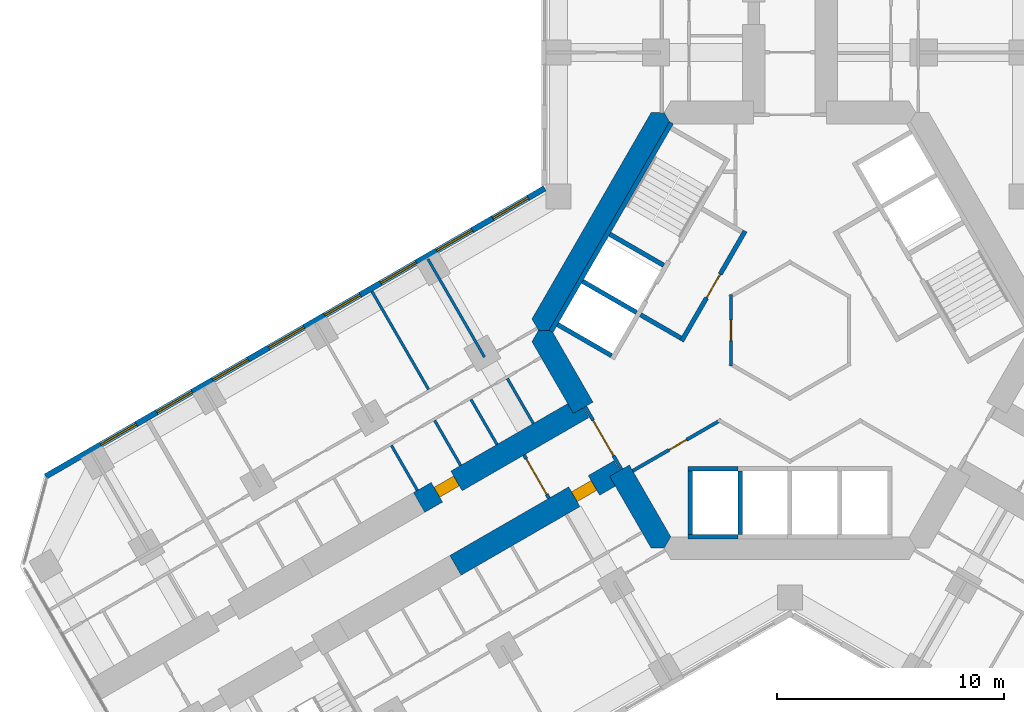
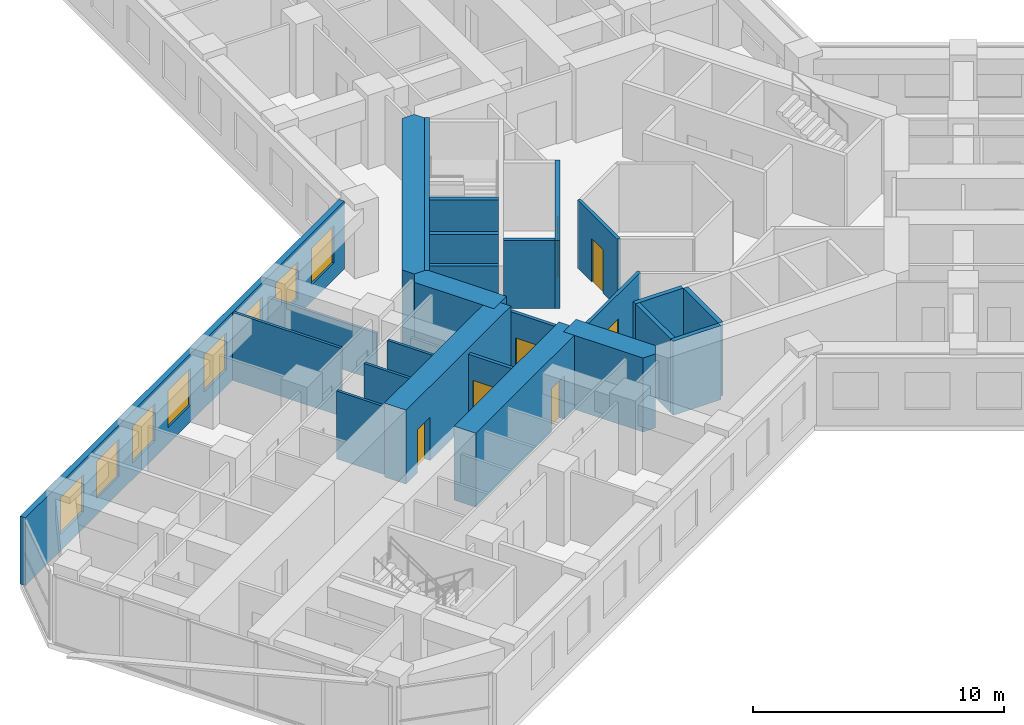
# One storey, part 12 of 21: 26 walls, 8 windows, 7 doors, 15 openings.
"""IFC4 building model written with IfcOpenShell, lengths in metres."""

from ifc_helpers import new_model, si_unit, direction, frame, frame_2d, origin, place, context, subcontext, project, spatial, polyline, rectangle, outline, extrude, material, layer, layer_set, type_object, element, fill, save


model = new_model("IFC4")

# Units and contexts
model_context = context("Model", 3, precision=1e-05, world=origin(), true_north=direction((0.0, 1.0)))
body_context = subcontext(model_context, "Body", "Model", "MODEL_VIEW")
ifc_project = project(units=[si_unit("LENGTHUNIT", "METRE"), si_unit("AREAUNIT", "SQUARE_METRE"), si_unit("VOLUMEUNIT", "CUBIC_METRE"), si_unit("PLANEANGLEUNIT", "RADIAN"), si_unit("MASSUNIT", "GRAM", prefix="KILO")], contexts=[model_context])

# Site, building, storey
site_placement = place(None, origin())
site = spatial("IfcSite", under=ifc_project, at=site_placement, CompositionType="ELEMENT")
building_placement = place(site_placement, origin())
building = spatial("IfcBuilding", under=site, at=building_placement, Name="Kosmar Iwan School Tower", CompositionType="ELEMENT")
storey_placement = place(building_placement, frame((0.0, 0.0, 28.800048828125)))
storey = spatial("IfcBuildingStorey", under=building, at=storey_placement, Name="L06", CompositionType="ELEMENT", Elevation=28.800048828125)

# Wall, opening, door
ifc_material_1 = material(Name="Gypsum board on steel studs, fire-rated", Category="steel")
ifc_layer_1 = layer(ifc_material_1, 0.14990234375)
ifc_layer_set_1 = layer_set([ifc_layer_1], Name="Core room partition 150")
wall_type_1 = type_object("IfcWallType", Name="Core room partition 150", PredefinedType="PARTITIONING", material=ifc_layer_set_1)
wall_1_placement = place(storey_placement, frame((-2.60009765625, -1.576171875, 0.0), z_axis=(0.0, 0.0, 1.0), x_axis=(0.0, 1.0, 0.0)))
wall_1 = element("IfcWall", 1, at=wall_1_placement, inside=storey, type_object=wall_type_1, Name="Core room partition L06-CW6", PredefinedType="PARTITIONING", context=body_context, shape_type="SweptSolid", body=[
    extrude(rectangle(XDim=3.15234375, YDim=0.14990234375, at=frame_2d((1.576171875, 0.0))), origin(), (0.0, 0.0, 1.0), 3.300048828125),
])
opening_1_placement = place(wall_1_placement, frame((1.1259765625, 0.0, 0.0)))
opening_1 = element("IfcOpeningElement", 2, at=opening_1_placement, cuts=wall_1, Name="Opening D14", PredefinedType="OPENING", context=body_context, shape_type="SweptSolid", body=[
    extrude(rectangle(XDim=0.89990234375, YDim=2.10009765625, at=frame_2d((0.449951171875, 1.050048828125))), frame((0.0, 0.0869140625, 0.0), z_axis=(0.0, -1.0, 0.0), x_axis=(1.0, 0.0, 0.0)), (0.0, 0.0, 1.0), 0.173828125),
])
ifc_material_2 = material(Name="Timber fire door in steel frame", Category="steel")
door_type_1 = type_object("IfcDoorType", Name="Core room door 900x2100", OperationType="SINGLE_SWING_LEFT", PredefinedType="DOOR", material=ifc_material_2)
door_1_placement = place(opening_1_placement, origin())
door_1 = element("IfcDoor", 3, at=door_1_placement, inside=storey, type_object=door_type_1, Name="Residents' laundry room door L06 3", OperationType="SINGLE_SWING_LEFT", OverallHeight=2.10009765625, OverallWidth=0.89990234375, PredefinedType="DOOR", context=body_context, shape_type="SweptSolid", body=[
    extrude(rectangle(XDim=0.89990234375, YDim=2.10009765625, at=frame_2d((0.449951171875, 1.050048828125))), frame((0.0, 0.02490234375, 0.0), z_axis=(0.0, -1.0, 0.0), x_axis=(1.0, 0.0, 0.0)), (0.0, 0.0, 1.0), 0.050048828125),
])
fill(opening_1, door_1)

wall_2_placement = place(storey_placement, frame((-6.930908203125, -6.195556640625, 0.0), z_axis=(0.0, 0.0, 1.0), x_axis=(0.866020192391, 0.500009026289, 0.0)))
wall_2 = element("IfcWall", 4, at=wall_2_placement, inside=storey, type_object=wall_type_1, Name="Core room partition L06-CW10", PredefinedType="PARTITIONING", context=body_context, shape_type="SweptSolid", body=[
    extrude(rectangle(XDim=4.49853515625, YDim=0.14990234375, at=frame_2d((2.249267578125, 0.0))), origin(), (0.0, 0.0, 1.0), 3.300048828125),
])
opening_2_placement = place(wall_2_placement, frame((1.842041015625, 0.0, 0.0)))
opening_2 = element("IfcOpeningElement", 5, at=opening_2_placement, cuts=wall_2, Name="Opening D14", PredefinedType="OPENING", context=body_context, shape_type="SweptSolid", body=[
    extrude(rectangle(XDim=0.89990234375, YDim=2.10009765625, at=frame_2d((0.449951171875, 1.050048828125))), frame((0.0, 0.0869140625, 0.0), z_axis=(0.0, -1.0, 0.0), x_axis=(1.0, 0.0, 0.0)), (0.0, 0.0, 1.0), 0.173828125),
])
door_2_placement = place(opening_2_placement, origin())
door_2 = element("IfcDoor", 6, at=door_2_placement, inside=storey, type_object=door_type_1, Name="Housekeeping store door L06 4", OperationType="SINGLE_SWING_RIGHT", OverallHeight=2.10009765625, OverallWidth=0.89990234375, PredefinedType="DOOR", context=body_context, shape_type="SweptSolid", body=[
    extrude(rectangle(XDim=0.89990234375, YDim=2.10009765625, at=frame_2d((0.449951171875, 1.050048828125))), frame((0.0, 0.02490234375, 0.0), z_axis=(0.0, -1.0, 0.0), x_axis=(1.0, 0.0, 0.0)), (0.0, 0.0, 1.0), 0.050048828125),
])
fill(opening_2, door_2)

# Walls
ifc_material_3 = material(Name="Concrete C50/60", Category="concrete")
ifc_layer_2 = layer(ifc_material_3, 1.0)
ifc_layer_set_2 = layer_set([ifc_layer_2], Name="Core wall 1000")
wall_type_2 = type_object("IfcWallType", Name="Core wall 1000", PredefinedType="SHEAR", material=ifc_layer_set_2)
wall_3_placement = place(storey_placement, origin())
element("IfcWall", 7, at=wall_3_placement, inside=storey, type_object=wall_type_2, Name="Core wall F150", PredefinedType="SHEAR", context=body_context, shape_type="SweptSolid", body=[
    extrude(outline(polyline([(-11.085205078125, 0.0), (-10.5078125, 0.0), (-5.25390625, 9.10009765625), (-5.54248046875, 9.60009765625), (-6.119873046875, 9.60009765625), (-11.373779296875, 0.5), (-11.085205078125, 0.0)])), origin(), (0.0, 0.0, 1.0), 3.599853515625),
])
wall_4_placement = place(storey_placement, origin())
element("IfcWall", 8, at=wall_4_placement, inside=storey, type_object=wall_type_2, Name="Core wall F210a", PredefinedType="SHEAR", context=body_context, shape_type="SweptSolid", body=[
    extrude(outline(polyline([(-9.546875, -3.664306640625), (-8.680908203125, -3.164306640625), (-10.5078125, 0.0), (-11.085205078125, 0.0), (-11.373779296875, -0.5), (-9.546875, -3.664306640625)])), origin(), (0.0, 0.0, 1.0), 3.599853515625),
])
wall_5_placement = place(storey_placement, origin())
element("IfcWall", 9, at=wall_5_placement, inside=storey, type_object=wall_type_2, Name="Core wall F210b", PredefinedType="SHEAR", context=body_context, shape_type="SweptSolid", body=[
    extrude(outline(polyline([(-6.119873046875, -9.60009765625), (-5.54248046875, -9.60009765625), (-5.25390625, -9.10009765625), (-7.080810546875, -5.935546875), (-7.94677734375, -6.435546875), (-6.119873046875, -9.60009765625)])), origin(), (0.0, 0.0, 1.0), 3.599853515625),
])

# Wall, opening, door
ifc_material_4 = material(Name="Concrete C50/60", Category="concrete")
ifc_layer_3 = layer(ifc_material_4, 1.0)
ifc_layer_set_3 = layer_set([ifc_layer_3], Name="Corridor buttress wall 1000")
wall_type_3 = type_object("IfcWallType", Name="Corridor buttress wall 1000", PredefinedType="SHEAR", material=ifc_layer_set_3)
wall_6_placement = place(storey_placement, frame((-7.513916015625, -6.185546875, 0.0), z_axis=(0.0, 0.0, 1.0), x_axis=(-0.866019549707, -0.500010139422, 0.0)))
wall_6 = element("IfcWall", 10, at=wall_6_placement, inside=storey, type_object=wall_type_3, Name="Corridor wall BL", PredefinedType="SHEAR", context=body_context, shape_type="SweptSolid", body=[
    extrude(rectangle(XDim=8.349853515625, YDim=1.0, at=frame_2d((4.1748046875, 0.0))), origin(), (0.0, 0.0, 1.0), 3.599853515625),
])
opening_3_placement = place(wall_6_placement, frame((1.300048828125, 0.0, 0.0)))
opening_3 = element("IfcOpeningElement", 11, at=opening_3_placement, cuts=wall_6, Name="Opening D1", PredefinedType="OPENING", context=body_context, shape_type="SweptSolid", body=[
    extrude(rectangle(XDim=1.0, YDim=2.10009765625, at=frame_2d((0.5, 1.050048828125))), frame((0.0, 0.511962890625, 0.0), z_axis=(0.0, -1.0, 0.0), x_axis=(1.0, 0.0, 0.0)), (0.0, 0.0, 1.0), 1.02392578125),
])
ifc_material_5 = material(Name="Timber fire door in steel frame", Category="steel")
door_type_2 = type_object("IfcDoorType", Name="Flat entrance door 1000x2100", OperationType="SINGLE_SWING_LEFT", PredefinedType="DOOR", material=ifc_material_5)
door_3_placement = place(opening_3_placement, origin())
door_3 = element("IfcDoor", 12, at=door_3_placement, inside=storey, type_object=door_type_2, Name="Flat L06-BL1 entrance door", OperationType="SINGLE_SWING_RIGHT", OverallHeight=2.10009765625, OverallWidth=1.0, PredefinedType="DOOR", context=body_context, shape_type="SweptSolid", body=[
    extrude(rectangle(XDim=1.0, YDim=2.10009765625, at=frame_2d((0.5, 1.050048828125))), frame((0.0, 0.25, 0.0), z_axis=(0.0, -1.0, 0.0), x_axis=(1.0, 0.0, 0.0)), (0.0, 0.0, 1.0), 0.5),
])
fill(opening_3, door_3)

wall_7_placement = place(storey_placement, frame((-9.11376953125, -3.414306640625, 0.0), z_axis=(0.0, 0.0, 1.0), x_axis=(-0.866026859388, -0.499997478812, 0.0)))
wall_7 = element("IfcWall", 13, at=wall_7_placement, inside=storey, type_object=wall_type_3, Name="Corridor wall BR", PredefinedType="SHEAR", context=body_context, shape_type="SweptSolid", body=[
    extrude(rectangle(XDim=8.35009765625, YDim=1.0, at=frame_2d((4.175048828125, 0.0))), origin(), (0.0, 0.0, 1.0), 3.599853515625),
])
opening_4_placement = place(wall_7_placement, frame((6.449951171875, 0.0, 0.0)))
opening_4 = element("IfcOpeningElement", 14, at=opening_4_placement, cuts=wall_7, Name="Opening D1", PredefinedType="OPENING", context=body_context, shape_type="SweptSolid", body=[
    extrude(rectangle(XDim=1.0, YDim=2.10009765625, at=frame_2d((0.5, 1.050048828125))), frame((0.0, 0.511962890625, 0.0), z_axis=(0.0, -1.0, 0.0), x_axis=(1.0, 0.0, 0.0)), (0.0, 0.0, 1.0), 1.02392578125),
])
door_4_placement = place(opening_4_placement, origin())
door_4 = element("IfcDoor", 15, at=door_4_placement, inside=storey, type_object=door_type_2, Name="Flat L06-BR1 entrance door", OperationType="SINGLE_SWING_RIGHT", OverallHeight=2.10009765625, OverallWidth=1.0, PredefinedType="DOOR", context=body_context, shape_type="SweptSolid", body=[
    extrude(rectangle(XDim=1.0, YDim=2.10009765625, at=frame_2d((0.5, 1.050048828125))), frame((0.0, 0.25, 0.0), z_axis=(0.0, -1.0, 0.0), x_axis=(1.0, 0.0, 0.0)), (0.0, 0.0, 1.0), 0.5),
])
fill(opening_4, door_4)

ifc_material_6 = material(Name="Gypsum board on steel studs, fire-rated", Category="steel")
ifc_layer_4 = layer(ifc_material_6, 0.14990234375)
ifc_layer_set_4 = layer_set([ifc_layer_4], Name="Corridor end wall 150")
wall_type_4 = type_object("IfcWallType", Name="Corridor end wall 150", PredefinedType="PARTITIONING", material=ifc_layer_set_4)
wall_8_placement = place(storey_placement, frame((-11.7216796875, -5.497314453125, 0.0), z_axis=(0.0, 0.0, 1.0), x_axis=(0.499946605688, -0.86605622881, 0.0)))
wall_8 = element("IfcWall", 16, at=wall_8_placement, inside=storey, type_object=wall_type_4, Name="Partition L06-B-HW", PredefinedType="PARTITIONING", context=body_context, shape_type="SweptSolid", body=[
    extrude(rectangle(XDim=2.199951171875, YDim=0.14990234375, at=frame_2d((1.10009765625, 0.0))), origin(), (0.0, 0.0, 1.0), 3.300048828125),
])
opening_5_placement = place(wall_8_placement, frame((0.199951171875, 0.0, 0.0)))
opening_5 = element("IfcOpeningElement", 17, at=opening_5_placement, cuts=wall_8, Name="Opening D9", PredefinedType="OPENING", context=body_context, shape_type="SweptSolid", body=[
    extrude(rectangle(XDim=1.800048828125, YDim=2.10009765625, at=frame_2d((0.89990234375, 1.050048828125))), frame((0.0, 0.0869140625, 0.0), z_axis=(0.0, -1.0, 0.0), x_axis=(1.0, 0.0, 0.0)), (0.0, 0.0, 1.0), 0.173828125),
])
ifc_material_7 = material(Name="Steel framed glazed smoke door", Category="steel")
door_type_3 = type_object("IfcDoorType", Name="Corridor smoke door pair 1800x2100", OperationType="DOUBLE_DOOR_DOUBLE_SWING", PredefinedType="DOOR", material=ifc_material_7)
door_5_placement = place(opening_5_placement, origin())
door_5 = element("IfcDoor", 18, at=door_5_placement, inside=storey, type_object=door_type_3, Name="Entrance vestibule smoke doors L06-B", OperationType="DOUBLE_DOOR_DOUBLE_SWING", OverallHeight=2.10009765625, OverallWidth=1.800048828125, PredefinedType="DOOR", context=body_context, shape_type="SweptSolid", body=[
    extrude(rectangle(XDim=1.800048828125, YDim=2.10009765625, at=frame_2d((0.89990234375, 1.050048828125))), frame((0.0, 0.02490234375, 0.0), z_axis=(0.0, -1.0, 0.0), x_axis=(1.0, 0.0, 0.0)), (0.0, 0.0, 1.0), 0.050048828125),
])
fill(opening_5, door_5)

ifc_material_8 = material(Name="Steel framed glazed screen", Category="steel")
ifc_layer_5 = layer(ifc_material_8, 0.14990234375)
ifc_layer_set_5 = layer_set([ifc_layer_5], Name="Corridor screen wall 150")
wall_type_5 = type_object("IfcWallType", Name="Corridor screen wall 150", PredefinedType="PARTITIONING", material=ifc_layer_set_5)
wall_9_placement = place(storey_placement, frame((-9.02734375, -3.3642578125, 0.0), z_axis=(0.0, 0.0, 1.0), x_axis=(0.499995408039, -0.866028054938, 0.0)))
wall_9 = element("IfcWall", 19, at=wall_9_placement, inside=storey, type_object=wall_type_5, Name="Corridor screen B L06", PredefinedType="PARTITIONING", context=body_context, shape_type="SweptSolid", body=[
    extrude(rectangle(XDim=3.2001953125, YDim=0.14990234375, at=frame_2d((1.60009765625, 0.0))), origin(), (0.0, 0.0, 1.0), 3.300048828125),
])
opening_6_placement = place(wall_9_placement, frame((0.699951171875, 0.0, 0.0)))
opening_6 = element("IfcOpeningElement", 20, at=opening_6_placement, cuts=wall_9, Name="Opening D9", PredefinedType="OPENING", context=body_context, shape_type="SweptSolid", body=[
    extrude(rectangle(XDim=1.800048828125, YDim=2.10009765625, at=frame_2d((0.89990234375, 1.050048828125))), frame((0.0, 0.0869140625, 0.0), z_axis=(0.0, -1.0, 0.0), x_axis=(1.0, 0.0, 0.0)), (0.0, 0.0, 1.0), 0.173828125),
])
door_6_placement = place(opening_6_placement, origin())
door_6 = element("IfcDoor", 21, at=door_6_placement, inside=storey, type_object=door_type_3, Name="Corridor doors B L06", OperationType="DOUBLE_DOOR_DOUBLE_SWING", OverallHeight=2.10009765625, OverallWidth=1.800048828125, PredefinedType="DOOR", context=body_context, shape_type="SweptSolid", body=[
    extrude(rectangle(XDim=1.800048828125, YDim=2.10009765625, at=frame_2d((0.89990234375, 1.050048828125))), frame((0.0, 0.02490234375, 0.0), z_axis=(0.0, -1.0, 0.0), x_axis=(1.0, 0.0, 0.0)), (0.0, 0.0, 1.0), 0.050048828125),
])
fill(opening_6, door_6)

# Walls
ifc_material_9 = material(Name="Gypsum board on steel studs", Category="steel")
ifc_layer_6 = layer(ifc_material_9, 0.1201171875)
ifc_layer_set_6 = layer_set([ifc_layer_6], Name="Dwelling partition 120")
wall_type_6 = type_object("IfcWallType", Name="Dwelling partition 120", PredefinedType="PARTITIONING", material=ifc_layer_set_6)
wall_10_placement = place(storey_placement, frame((-13.4638671875, -1.179931640625, 0.0), z_axis=(0.0, 0.0, 1.0), x_axis=(-0.499996339024, 0.86602751744, 0.0)))
element("IfcWall", 22, at=wall_10_placement, inside=storey, type_object=wall_type_6, Name="Partition L06-BR1-X1", PredefinedType="PARTITIONING", context=body_context, shape_type="SweptSolid", body=[
    extrude(rectangle(XDim=4.98974609375, YDim=0.1201171875, at=frame_2d((2.494873046875, 0.0))), origin(), (0.0, 0.0, 1.0), 2.300048828125),
])
wall_11_placement = place(storey_placement, frame((-15.931884765625, -2.60498046875, 0.0), z_axis=(0.0, 0.0, 1.0), x_axis=(-0.500011847778, 0.866018563358, 0.0)))
element("IfcWall", 23, at=wall_11_placement, inside=storey, type_object=wall_type_6, Name="Partition L06-BR1-X2", PredefinedType="PARTITIONING", context=body_context, shape_type="SweptSolid", body=[
    extrude(rectangle(XDim=4.990234375, YDim=0.1201171875, at=frame_2d((2.4951171875, 0.0))), origin(), (0.0, 0.0, 1.0), 3.300048828125),
])
wall_12_placement = place(storey_placement, frame((-11.3125, -4.1064453125, 0.0), z_axis=(0.0, 0.0, 1.0), x_axis=(-0.499968531483, 0.866043571379, 0.0)))
element("IfcWall", 24, at=wall_12_placement, inside=storey, type_object=wall_type_6, Name="Partition L06-BR1-Y1", PredefinedType="PARTITIONING", context=body_context, shape_type="SweptSolid", body=[
    extrude(rectangle(XDim=2.290283203125, YDim=0.1201171875, at=frame_2d((1.14501953125, 0.0))), origin(), (0.0, 0.0, 1.0), 2.300048828125),
])
for number, where, z_axis, x_axis, name in (
    (25, (-12.91455078125, -5.03125, 0.0), (0.0, 0.0, 1.0), (-0.500014693593, 0.866016920268, 0.0), "Partition L06-BR1-Y2"),
    (26, (-14.5166015625, -5.956298828125, 0.0), (0.0, 0.0, 1.0), (-0.500014693593, 0.866016920268, 0.0), "Partition L06-BR1-Y3"),
    (27, (-16.421875, -7.056396484375, 0.0), (0.0, 0.0, 1.0), (-0.500014693593, 0.866016920268, 0.0), "Partition L06-BR1-Y4"),
):
    element("IfcWall", number, at=place(storey_placement, frame(where, z_axis=z_axis, x_axis=x_axis)), inside=storey, type_object=wall_type_6, Name=name, PredefinedType="PARTITIONING", context=body_context, shape_type="SweptSolid", body=[
        extrude(rectangle(XDim=2.2900390625, YDim=0.1201171875, at=frame_2d((1.14501953125, 0.0))), origin(), (0.0, 0.0, 1.0), 3.300048828125),
    ])

# Wall, openings, windows
ifc_material_10 = material(Name="Black aluminium rainscreen on insulated framing", Category="aluminium")
ifc_layer_7 = layer(ifc_material_10, 0.25)
ifc_layer_set_7 = layer_set([ifc_layer_7], Name="External wall rainscreen 250")
wall_type_7 = type_object("IfcWallType", Name="External wall rainscreen 250", PredefinedType="SOLIDWALL", material=ifc_layer_set_7)
wall_13_placement = place(storey_placement, frame((-10.8125, 6.257080078125, 0.0), z_axis=(0.0, 0.0, 1.0), x_axis=(-0.86602648281, -0.499998131069, 0.0)))
wall_13 = element("IfcWall", 28, at=wall_13_placement, inside=storey, type_object=wall_type_7, Name="External wall BR L06", PredefinedType="SOLIDWALL", context=body_context, shape_type="SweptSolid", body=[
    extrude(rectangle(XDim=25.39990234375, YDim=0.25, at=frame_2d((12.699951171875, 0.0))), origin(), (0.0, 0.0, 1.0), 3.300048828125),
])
opening_7_placement = place(wall_13_placement, frame((0.839599609375, 0.0, 0.800048828125)))
opening_7 = element("IfcOpeningElement", 29, at=opening_7_placement, cuts=wall_13, Name="Opening W1", PredefinedType="OPENING", context=body_context, shape_type="SweptSolid", body=[
    extrude(rectangle(XDim=1.800048828125, YDim=1.800048828125, at=frame_2d((0.89990234375, 0.89990234375))), frame((0.0, 0.136962890625, 0.0), z_axis=(0.0, -1.0, 0.0), x_axis=(1.0, 0.0, 0.0)), (0.0, 0.0, 1.0), 0.27392578125),
])
opening_8_placement = place(wall_13_placement, frame((3.689697265625, 0.0, 0.800048828125)))
opening_8 = element("IfcOpeningElement", 30, at=opening_8_placement, cuts=wall_13, Name="Opening W1", PredefinedType="OPENING", context=body_context, shape_type="SweptSolid", body=[
    extrude(rectangle(XDim=1.800048828125, YDim=1.800048828125, at=frame_2d((0.89990234375, 0.89990234375))), frame((0.0, 0.136962890625, 0.0), z_axis=(0.0, -1.0, 0.0), x_axis=(1.0, 0.0, 0.0)), (0.0, 0.0, 1.0), 0.27392578125),
])
opening_9_placement = place(wall_13_placement, frame((6.53955078125, 0.0, 0.800048828125)))
opening_9 = element("IfcOpeningElement", 31, at=opening_9_placement, cuts=wall_13, Name="Opening W1", PredefinedType="OPENING", context=body_context, shape_type="SweptSolid", body=[
    extrude(rectangle(XDim=1.800048828125, YDim=1.800048828125, at=frame_2d((0.89990234375, 0.89990234375))), frame((0.0, 0.136962890625, 0.0), z_axis=(0.0, -1.0, 0.0), x_axis=(1.0, 0.0, 0.0)), (0.0, 0.0, 1.0), 0.27392578125),
])
opening_10_placement = place(wall_13_placement, frame((9.3896484375, 0.0, 0.800048828125)))
opening_10 = element("IfcOpeningElement", 32, at=opening_10_placement, cuts=wall_13, Name="Opening W1", PredefinedType="OPENING", context=body_context, shape_type="SweptSolid", body=[
    extrude(rectangle(XDim=1.800048828125, YDim=1.800048828125, at=frame_2d((0.89990234375, 0.89990234375))), frame((0.0, 0.136962890625, 0.0), z_axis=(0.0, -1.0, 0.0), x_axis=(1.0, 0.0, 0.0)), (0.0, 0.0, 1.0), 0.27392578125),
])
opening_11_placement = place(wall_13_placement, frame((12.23974609375, 0.0, 0.800048828125)))
opening_11 = element("IfcOpeningElement", 33, at=opening_11_placement, cuts=wall_13, Name="Opening W1", PredefinedType="OPENING", context=body_context, shape_type="SweptSolid", body=[
    extrude(rectangle(XDim=1.800048828125, YDim=1.800048828125, at=frame_2d((0.89990234375, 0.89990234375))), frame((0.0, 0.136962890625, 0.0), z_axis=(0.0, -1.0, 0.0), x_axis=(1.0, 0.0, 0.0)), (0.0, 0.0, 1.0), 0.27392578125),
])
opening_12_placement = place(wall_13_placement, frame((15.089599609375, 0.0, 0.800048828125)))
opening_12 = element("IfcOpeningElement", 34, at=opening_12_placement, cuts=wall_13, Name="Opening W1", PredefinedType="OPENING", context=body_context, shape_type="SweptSolid", body=[
    extrude(rectangle(XDim=1.800048828125, YDim=1.800048828125, at=frame_2d((0.89990234375, 0.89990234375))), frame((0.0, 0.136962890625, 0.0), z_axis=(0.0, -1.0, 0.0), x_axis=(1.0, 0.0, 0.0)), (0.0, 0.0, 1.0), 0.27392578125),
])
opening_13_placement = place(wall_13_placement, frame((17.939697265625, 0.0, 0.800048828125)))
opening_13 = element("IfcOpeningElement", 35, at=opening_13_placement, cuts=wall_13, Name="Opening W1", PredefinedType="OPENING", context=body_context, shape_type="SweptSolid", body=[
    extrude(rectangle(XDim=1.800048828125, YDim=1.800048828125, at=frame_2d((0.89990234375, 0.89990234375))), frame((0.0, 0.136962890625, 0.0), z_axis=(0.0, -1.0, 0.0), x_axis=(1.0, 0.0, 0.0)), (0.0, 0.0, 1.0), 0.27392578125),
])
opening_14_placement = place(wall_13_placement, frame((20.78955078125, 0.0, 0.800048828125)))
opening_14 = element("IfcOpeningElement", 36, at=opening_14_placement, cuts=wall_13, Name="Opening W1", PredefinedType="OPENING", context=body_context, shape_type="SweptSolid", body=[
    extrude(rectangle(XDim=1.800048828125, YDim=1.800048828125, at=frame_2d((0.89990234375, 0.89990234375))), frame((0.0, 0.136962890625, 0.0), z_axis=(0.0, -1.0, 0.0), x_axis=(1.0, 0.0, 0.0)), (0.0, 0.0, 1.0), 0.27392578125),
])
ifc_material_11 = material(Name="Black aluminium frame with dark triple glazing", Category="aluminium")
window_type = type_object("IfcWindowType", Name="Window 1800x1800", PartitioningType="SINGLE_PANEL", PredefinedType="WINDOW", material=ifc_material_11)
window_1_placement = place(opening_7_placement, origin())
window_1 = element("IfcWindow", 37, at=window_1_placement, inside=storey, type_object=window_type, Name="Window BR L06 -1", OverallHeight=1.800048828125, OverallWidth=1.800048828125, PartitioningType="SINGLE_PANEL", PredefinedType="WINDOW", context=body_context, shape_type="SweptSolid", body=[
    extrude(rectangle(XDim=1.800048828125, YDim=1.800048828125, at=frame_2d((0.89990234375, 0.89990234375))), frame((0.0, 0.030029296875, 0.0), z_axis=(0.0, -1.0, 0.0), x_axis=(1.0, 0.0, 0.0)), (0.0, 0.0, 1.0), 0.06005859375),
])
fill(opening_7, window_1)
window_2_placement = place(opening_8_placement, origin())
window_2 = element("IfcWindow", 38, at=window_2_placement, inside=storey, type_object=window_type, Name="Window BR L06 0", OverallHeight=1.800048828125, OverallWidth=1.800048828125, PartitioningType="SINGLE_PANEL", PredefinedType="WINDOW", context=body_context, shape_type="SweptSolid", body=[
    extrude(rectangle(XDim=1.800048828125, YDim=1.800048828125, at=frame_2d((0.89990234375, 0.89990234375))), frame((0.0, 0.030029296875, 0.0), z_axis=(0.0, -1.0, 0.0), x_axis=(1.0, 0.0, 0.0)), (0.0, 0.0, 1.0), 0.06005859375),
])
fill(opening_8, window_2)
window_3_placement = place(opening_9_placement, origin())
window_3 = element("IfcWindow", 39, at=window_3_placement, inside=storey, type_object=window_type, Name="Window BR L06 1", OverallHeight=1.800048828125, OverallWidth=1.800048828125, PartitioningType="SINGLE_PANEL", PredefinedType="WINDOW", context=body_context, shape_type="SweptSolid", body=[
    extrude(rectangle(XDim=1.800048828125, YDim=1.800048828125, at=frame_2d((0.89990234375, 0.89990234375))), frame((0.0, 0.030029296875, 0.0), z_axis=(0.0, -1.0, 0.0), x_axis=(1.0, 0.0, 0.0)), (0.0, 0.0, 1.0), 0.06005859375),
])
fill(opening_9, window_3)
window_4_placement = place(opening_10_placement, origin())
window_4 = element("IfcWindow", 40, at=window_4_placement, inside=storey, type_object=window_type, Name="Window BR L06 2", OverallHeight=1.800048828125, OverallWidth=1.800048828125, PartitioningType="SINGLE_PANEL", PredefinedType="WINDOW", context=body_context, shape_type="SweptSolid", body=[
    extrude(rectangle(XDim=1.800048828125, YDim=1.800048828125, at=frame_2d((0.89990234375, 0.89990234375))), frame((0.0, 0.030029296875, 0.0), z_axis=(0.0, -1.0, 0.0), x_axis=(1.0, 0.0, 0.0)), (0.0, 0.0, 1.0), 0.06005859375),
])
fill(opening_10, window_4)
window_5_placement = place(opening_11_placement, origin())
window_5 = element("IfcWindow", 41, at=window_5_placement, inside=storey, type_object=window_type, Name="Window BR L06 3", OverallHeight=1.800048828125, OverallWidth=1.800048828125, PartitioningType="SINGLE_PANEL", PredefinedType="WINDOW", context=body_context, shape_type="SweptSolid", body=[
    extrude(rectangle(XDim=1.800048828125, YDim=1.800048828125, at=frame_2d((0.89990234375, 0.89990234375))), frame((0.0, 0.030029296875, 0.0), z_axis=(0.0, -1.0, 0.0), x_axis=(1.0, 0.0, 0.0)), (0.0, 0.0, 1.0), 0.06005859375),
])
fill(opening_11, window_5)
window_6_placement = place(opening_12_placement, origin())
window_6 = element("IfcWindow", 42, at=window_6_placement, inside=storey, type_object=window_type, Name="Window BR L06 4", OverallHeight=1.800048828125, OverallWidth=1.800048828125, PartitioningType="SINGLE_PANEL", PredefinedType="WINDOW", context=body_context, shape_type="SweptSolid", body=[
    extrude(rectangle(XDim=1.800048828125, YDim=1.800048828125, at=frame_2d((0.89990234375, 0.89990234375))), frame((0.0, 0.030029296875, 0.0), z_axis=(0.0, -1.0, 0.0), x_axis=(1.0, 0.0, 0.0)), (0.0, 0.0, 1.0), 0.06005859375),
])
fill(opening_12, window_6)
window_7_placement = place(opening_13_placement, origin())
window_7 = element("IfcWindow", 43, at=window_7_placement, inside=storey, type_object=window_type, Name="Window BR L06 5", OverallHeight=1.800048828125, OverallWidth=1.800048828125, PartitioningType="SINGLE_PANEL", PredefinedType="WINDOW", context=body_context, shape_type="SweptSolid", body=[
    extrude(rectangle(XDim=1.800048828125, YDim=1.800048828125, at=frame_2d((0.89990234375, 0.89990234375))), frame((0.0, 0.030029296875, 0.0), z_axis=(0.0, -1.0, 0.0), x_axis=(1.0, 0.0, 0.0)), (0.0, 0.0, 1.0), 0.06005859375),
])
fill(opening_13, window_7)
window_8_placement = place(opening_14_placement, origin())
window_8 = element("IfcWindow", 44, at=window_8_placement, inside=storey, type_object=window_type, Name="Window BR L06 6", OverallHeight=1.800048828125, OverallWidth=1.800048828125, PartitioningType="SINGLE_PANEL", PredefinedType="WINDOW", context=body_context, shape_type="SweptSolid", body=[
    extrude(rectangle(XDim=1.800048828125, YDim=1.800048828125, at=frame_2d((0.89990234375, 0.89990234375))), frame((0.0, 0.030029296875, 0.0), z_axis=(0.0, -1.0, 0.0), x_axis=(1.0, 0.0, 0.0)), (0.0, 0.0, 1.0), 0.06005859375),
])
fill(opening_14, window_8)

# Wall, opening, door
ifc_material_12 = material(Name="Concrete block masonry", Category="masonry")
ifc_layer_8 = layer(ifc_material_12, 0.199951171875)
ifc_layer_set_8 = layer_set([ifc_layer_8], Name="Fire lobby wall 200")
wall_type_8 = type_object("IfcWallType", Name="Fire lobby wall 200", PredefinedType="PARTITIONING", material=ifc_layer_set_8)
wall_14_placement = place(storey_placement, frame((-1.9775390625, 4.374755859375, 0.0), z_axis=(0.0, 0.0, 1.0), x_axis=(-0.500016814911, -0.866015695474, 0.0)))
wall_14 = element("IfcWall", 45, at=wall_14_placement, inside=storey, type_object=wall_type_8, Name="Firefighting lobby wall ST2", PredefinedType="PARTITIONING", context=body_context, shape_type="SweptSolid", body=[
    extrude(rectangle(XDim=5.599853515625, YDim=0.199951171875, at=frame_2d((2.7998046875, 0.0))), origin(), (0.0, 0.0, 1.0), 3.300048828125),
])
opening_15_placement = place(wall_14_placement, frame((2.199951171875, 0.0, 0.0)))
opening_15 = element("IfcOpeningElement", 46, at=opening_15_placement, cuts=wall_14, Name="Opening D7", PredefinedType="OPENING", context=body_context, shape_type="SweptSolid", body=[
    extrude(rectangle(XDim=1.199951171875, YDim=2.10009765625, at=frame_2d((0.60009765625, 1.050048828125))), frame((0.0, 0.112060546875, 0.0), z_axis=(0.0, -1.0, 0.0), x_axis=(1.0, 0.0, 0.0)), (0.0, 0.0, 1.0), 0.223876953125),
])
ifc_material_13 = material(Name="Steel fire door", Category="steel")
door_type_4 = type_object("IfcDoorType", Name="Fire lobby door 1200x2100", OperationType="SINGLE_SWING_LEFT", PredefinedType="DOOR", material=ifc_material_13)
door_7_placement = place(opening_15_placement, frame((1.199951171875, 0.0, 0.0), z_axis=(0.0, 0.0, 1.0), x_axis=(-1.0, 0.0, 0.0)))
door_7 = element("IfcDoor", 47, at=door_7_placement, inside=storey, type_object=door_type_4, Name="Firefighting lobby door ST2 L06", OperationType="SINGLE_SWING_RIGHT", OverallHeight=2.10009765625, OverallWidth=1.199951171875, PredefinedType="DOOR", context=body_context, shape_type="SweptSolid", body=[
    extrude(rectangle(XDim=1.199951171875, YDim=2.10009765625, at=frame_2d((0.60009765625, 1.050048828125))), frame((0.0, 0.02490234375, 0.0), z_axis=(0.0, -1.0, 0.0), x_axis=(1.0, 0.0, 0.0)), (0.0, 0.0, 1.0), 0.050048828125),
])
fill(opening_15, door_7)

# Walls
wall_15_placement = place(storey_placement, frame((-4.814208984375, -0.33837890625, 0.0), z_axis=(0.0, 0.0, 1.0), x_axis=(-0.865969381856, 0.500097020274, 0.0)))
element("IfcWall", 48, at=wall_15_placement, inside=storey, type_object=wall_type_8, Name="Firefighting lobby wall ST2", PredefinedType="PARTITIONING", context=body_context, shape_type="SweptSolid", body=[
    extrude(rectangle(XDim=2.0498046875, YDim=0.199951171875, at=frame_2d((1.02490234375, 0.0))), origin(), (0.0, 0.0, 1.0), 3.300048828125),
])
ifc_material_14 = material(Name="Concrete C50/60", Category="concrete")
ifc_layer_9 = layer(ifc_material_14, 0.199951171875)
ifc_layer_set_9 = layer_set([ifc_layer_9], Name="Lift shaft wall 200")
wall_type_9 = type_object("IfcWallType", Name="Lift shaft wall 200", PredefinedType="SHEAR", material=ifc_layer_set_9)
wall_16_placement = place(storey_placement, frame((-5.22509765625, 9.14990234375, 0.0), z_axis=(0.0, 0.0, 1.0), x_axis=(-0.499994998079, -0.866028291626, 0.0)))
element("IfcWall", 49, at=wall_16_placement, inside=storey, type_object=wall_type_9, Name="Lift and stair back wall AB", PredefinedType="SHEAR", context=body_context, shape_type="SweptSolid", body=[
    extrude(rectangle(XDim=10.623046875, YDim=0.199951171875, at=frame_2d((5.3115234375, 0.0))), origin(), (0.0, 0.0, 1.0), 3.599853515625),
])
for number, where, z_axis, x_axis, name in (
    (50, (-6.7626953125, 0.78662109375, 0.0), (0.0, 0.0, 1.0), (-0.866027397988, 0.499996545922, 0.0), "Lift shaft wall AB 1"),
    (51, (-7.862548828125, -1.118408203125, 0.0), (0.0, 0.0, 1.0), (-0.866027397988, 0.499996545922, 0.0), "Lift shaft wall AB 2"),
):
    element("IfcWall", number, at=place(storey_placement, frame(where, z_axis=z_axis, x_axis=x_axis)), inside=storey, type_object=wall_type_9, Name=name, PredefinedType="SHEAR", context=body_context, shape_type="SweptSolid", body=[
        extrude(rectangle(XDim=2.75, YDim=0.199951171875, at=frame_2d((1.375, 0.0))), origin(), (0.0, 0.0, 1.0), 3.599853515625),
    ])
for number, where, z_axis, x_axis, name in (
    (52, (-4.5, -6.10009765625, 0.0), (0.0, 0.0, 1.0), (1.0, 0.0, 0.0), "Lift and stair front wall BC"),
    (53, (-4.5, -9.10009765625, 0.0), (0.0, 0.0, 1.0), (1.0, 0.0, 0.0), "Lift and stair back wall BC"),
):
    element("IfcWall", number, at=place(storey_placement, frame(where, z_axis=z_axis, x_axis=x_axis)), inside=storey, type_object=wall_type_9, Name=name, PredefinedType="SHEAR", context=body_context, shape_type="SweptSolid", body=[
        extrude(rectangle(XDim=2.199951171875, YDim=0.199951171875, at=frame_2d((1.10009765625, 0.0))), origin(), (0.0, 0.0, 1.0), 3.599853515625),
    ])
for number, where, z_axis, x_axis, name in (
    (54, (-4.39990234375, -6.199951171875, 0.0), (0.0, 0.0, 1.0), (0.0, -1.0, 0.0), "Lift shaft wall BC 0"),
    (55, (-2.199951171875, -6.199951171875, 0.0), (0.0, 0.0, 1.0), (0.0, -1.0, 0.0), "Lift shaft wall BC 1"),
):
    element("IfcWall", number, at=place(storey_placement, frame(where, z_axis=z_axis, x_axis=x_axis)), inside=storey, type_object=wall_type_9, Name=name, PredefinedType="SHEAR", context=body_context, shape_type="SweptSolid", body=[
        extrude(rectangle(XDim=2.800048828125, YDim=0.199951171875, at=frame_2d((1.39990234375, 0.0))), origin(), (0.0, 0.0, 1.0), 3.599853515625),
    ])
ifc_material_15 = material(Name="Concrete C50/60", Category="concrete")
ifc_layer_10 = layer(ifc_material_15, 0.199951171875)
ifc_layer_set_10 = layer_set([ifc_layer_10], Name="Stair enclosure wall 200")
wall_type_10 = type_object("IfcWallType", Name="Stair enclosure wall 200", PredefinedType="SHEAR", material=ifc_layer_set_10)
wall_17_placement = place(storey_placement, frame((-5.562744140625, 2.865234375, 0.0), z_axis=(0.0, 0.0, 1.0), x_axis=(-0.866027397988, 0.499996545922, 0.0)))
element("IfcWall", 56, at=wall_17_placement, inside=storey, type_object=wall_type_10, Name="Stair ST2 wall", PredefinedType="SHEAR", context=body_context, shape_type="SweptSolid", body=[
    extrude(rectangle(XDim=2.75, YDim=0.199951171875, at=frame_2d((1.375, 0.0))), origin(), (0.0, 0.0, 1.0), 3.599853515625),
])

save(model, "model.ifc")
